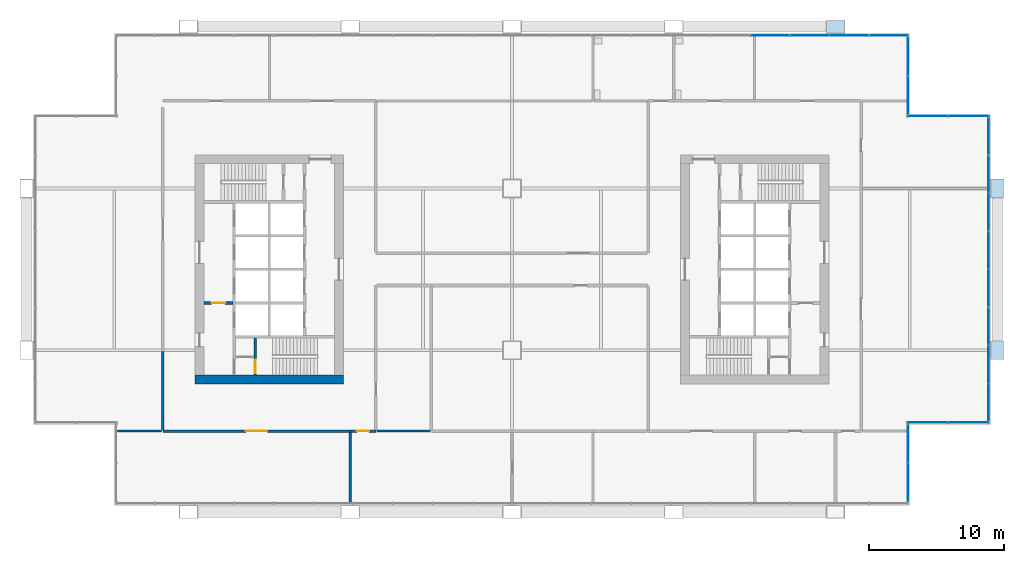
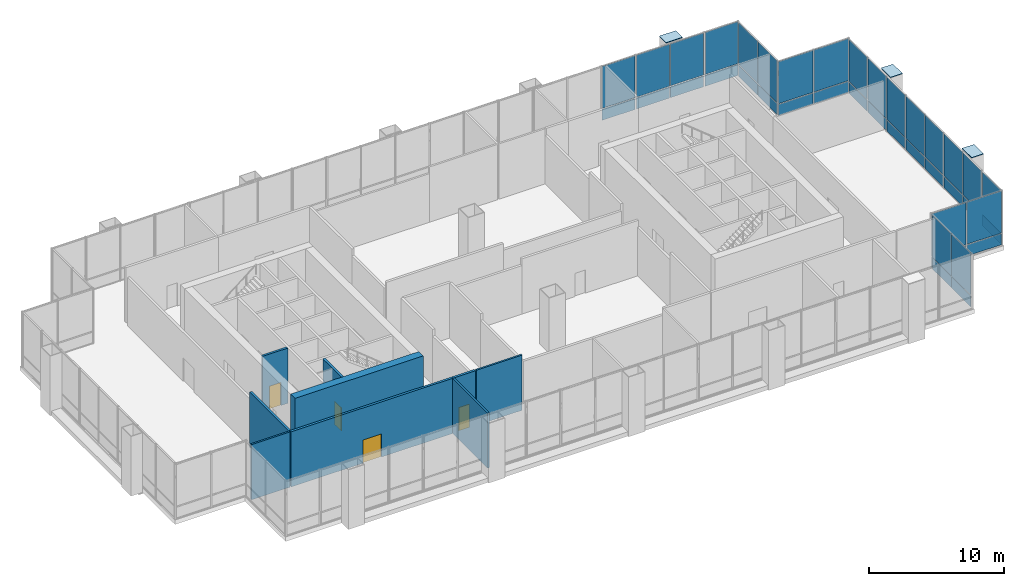
# One storey, part 14 of 20: 43 plates, 9 walls, 4 doors, 4 openings, 12 elements without a shape of their own.
"""IFC4 building model written with IfcOpenShell, lengths in metres."""

from ifc_helpers import new_model, si_unit, direction, frame, frame_2d, origin, origin_2d, place, context, subcontext, project, spatial, rectangle, extrude, material, layer, layer_set, type_object, element, fill, aggregate, save


model = new_model("IFC4")

# Units and contexts
model_context = context("Model", 3, precision=1e-05, world=origin(), true_north=direction((0.0, 1.0)))
body_context = subcontext(model_context, "Body", "Model", "MODEL_VIEW")
ifc_project = project(units=[si_unit("LENGTHUNIT", "METRE"), si_unit("AREAUNIT", "SQUARE_METRE"), si_unit("VOLUMEUNIT", "CUBIC_METRE"), si_unit("PLANEANGLEUNIT", "RADIAN"), si_unit("MASSUNIT", "GRAM", prefix="KILO")], contexts=[model_context])

# Site, building, storey
site_placement = place(None, origin())
site = spatial("IfcSite", under=ifc_project, at=site_placement, CompositionType="ELEMENT")
building_placement = place(site_placement, origin())
building = spatial("IfcBuilding", under=site, at=building_placement, Name="Kitamizu Gate Tower and Museum", CompositionType="ELEMENT")
storey_placement = place(building_placement, frame((0.0, 0.0, 148.35009765625)))
storey = spatial("IfcBuildingStorey", under=building, at=storey_placement, Name="L39", CompositionType="ELEMENT", Elevation=148.35009765625)

# Plates
ifc_material_1 = material(Name="Steel SM490A bronze coated", Category="steel")
ifc_layer_1 = layer(ifc_material_1, 0.054931640625)
ifc_layer_set_1 = layer_set([ifc_layer_1], Name="Steel SM490A bronze coated")
plate_type_1 = type_object("IfcPlateType", Name="Exoskeleton column cap plate XC5 55", PredefinedType="USERDEFINED", material=ifc_layer_set_1)
for number, where, z_axis, x_axis, name in (
    (1, (60.0, 48.0, 5.0), (0.0, 0.0, 1.0), (1.0, 0.0, 0.0), "Exoskeleton column cap plate XC5 6E L39"),
    (2, (72.0, 24.0, 5.0), (0.0, 0.0, 1.0), (0.0, 1.0, 0.0), "Exoskeleton column cap plate XC5 7C L39"),
    (3, (72.0, 36.0, 5.0), (0.0, 0.0, 1.0), (0.0, 1.0, 0.0), "Exoskeleton column cap plate XC5 7D L39"),
):
    element("IfcPlate", number, at=place(storey_placement, frame(where, z_axis=z_axis, x_axis=x_axis)), inside=storey, type_object=plate_type_1, Name=name, ObjectType="COLUMN CAP PLATE", PredefinedType="USERDEFINED", context=body_context, shape_type="SweptSolid", body=[
        extrude(rectangle(XDim=1.39990234375, YDim=1.0, at=origin_2d()), origin(), (0.0, 0.0, 1.0), 0.054931640625),
    ])

# Curtain wall, plates
ifc_material_2 = material(Name="Bronze anodised aluminium frame, tinted triple glazing", Category="aluminium")
curtain_wall_type_1 = type_object("IfcCurtainWallType", Name="CURTAIN WALL TYPE B SKY LOBBY", PredefinedType="NOTDEFINED", material=ifc_material_2)
curtain_wall_1_placement = place(storey_placement, origin())
curtain_wall_1 = element("IfcCurtainWall", 4, at=curtain_wall_1_placement, inside=storey, type_object=curtain_wall_type_1, Name="Curtain wall CW-B east L39", PredefinedType="NOTDEFINED")
ifc_material_3 = material(Name="Tinted insulating glass", Category="glass")
ifc_layer_2 = layer(ifc_material_3, 0.031982421875)
ifc_layer_set_2 = layer_set([ifc_layer_2], Name="Tinted insulating glass")
plate_type_2 = type_object("IfcPlateType", Name="GLASS PANEL 32 TYPE B", PredefinedType="CURTAIN_PANEL", material=ifc_layer_set_2)
plate_1_placement = place(storey_placement, frame((65.364990234375, 14.18994140625, 0.06005859375), z_axis=(0.0, 0.0, 1.0), x_axis=(0.0, 1.0, 0.0)))
plate_1 = element("IfcPlate", 5, at=plate_1_placement, type_object=plate_type_2, Name="CW-B panel 1.1", PredefinedType="CURTAIN_PANEL", context=body_context, shape_type="SweptSolid", body=[
    extrude(rectangle(XDim=2.820068359375, YDim=0.031982421875, at=origin_2d()), origin(), (0.0, 0.0, 1.0), 1.010009765625),
])
plate_2_placement = place(storey_placement, frame((65.364990234375, 14.18994140625, 1.1298828125), z_axis=(0.0, 0.0, 1.0), x_axis=(0.0, 1.0, 0.0)))
plate_2 = element("IfcPlate", 6, at=plate_2_placement, type_object=plate_type_2, Name="CW-B panel 1.2", PredefinedType="CURTAIN_PANEL", context=body_context, shape_type="SweptSolid", body=[
    extrude(rectangle(XDim=2.820068359375, YDim=0.031982421875, at=origin_2d()), origin(), (0.0, 0.0, 1.0), 3.81005859375),
])
plate_3_placement = place(storey_placement, frame((65.364990234375, 17.080078125, 0.06005859375), z_axis=(0.0, 0.0, 1.0), x_axis=(0.0, 1.0, 0.0)))
plate_3 = element("IfcPlate", 7, at=plate_3_placement, type_object=plate_type_2, Name="CW-B panel 2.1", PredefinedType="CURTAIN_PANEL", context=body_context, shape_type="SweptSolid", body=[
    extrude(rectangle(XDim=2.820068359375, YDim=0.031982421875, at=origin_2d()), origin(), (0.0, 0.0, 1.0), 1.010009765625),
])
plate_4_placement = place(storey_placement, frame((65.364990234375, 17.080078125, 1.1298828125), z_axis=(0.0, 0.0, 1.0), x_axis=(0.0, 1.0, 0.0)))
plate_4 = element("IfcPlate", 8, at=plate_4_placement, type_object=plate_type_2, Name="CW-B panel 2.2", PredefinedType="CURTAIN_PANEL", context=body_context, shape_type="SweptSolid", body=[
    extrude(rectangle(XDim=2.820068359375, YDim=0.031982421875, at=origin_2d()), origin(), (0.0, 0.0, 1.0), 3.81005859375),
])
aggregate(curtain_wall_1, [plate_1, plate_2, plate_3, plate_4])

curtain_wall_2_placement = place(storey_placement, origin())
curtain_wall_2 = element("IfcCurtainWall", 9, at=curtain_wall_2_placement, inside=storey, type_object=curtain_wall_type_1, Name="Curtain wall CW-B south L39", PredefinedType="NOTDEFINED")
plate_5_placement = place(storey_placement, frame((66.844970703125, 18.635009765625, 0.06005859375), z_axis=(0.0, 0.0, 1.0), x_axis=(1.0, 0.0, 0.0)))
plate_5 = element("IfcPlate", 10, at=plate_5_placement, type_object=plate_type_2, Name="CW-B panel 1.1", PredefinedType="CURTAIN_PANEL", context=body_context, shape_type="SweptSolid", body=[
    extrude(rectangle(XDim=2.969970703125, YDim=0.031982421875, at=origin_2d()), origin(), (0.0, 0.0, 1.0), 1.010009765625),
])
plate_6_placement = place(storey_placement, frame((66.844970703125, 18.635009765625, 1.1298828125), z_axis=(0.0, 0.0, 1.0), x_axis=(1.0, 0.0, 0.0)))
plate_6 = element("IfcPlate", 11, at=plate_6_placement, type_object=plate_type_2, Name="CW-B panel 1.2", PredefinedType="CURTAIN_PANEL", context=body_context, shape_type="SweptSolid", body=[
    extrude(rectangle(XDim=2.969970703125, YDim=0.031982421875, at=origin_2d()), origin(), (0.0, 0.0, 1.0), 3.81005859375),
])
plate_7_placement = place(storey_placement, frame((69.885009765625, 18.635009765625, 0.06005859375), z_axis=(0.0, 0.0, 1.0), x_axis=(1.0, 0.0, 0.0)))
plate_7 = element("IfcPlate", 12, at=plate_7_placement, type_object=plate_type_2, Name="CW-B panel 2.1", PredefinedType="CURTAIN_PANEL", context=body_context, shape_type="SweptSolid", body=[
    extrude(rectangle(XDim=2.969970703125, YDim=0.031982421875, at=origin_2d()), origin(), (0.0, 0.0, 1.0), 1.010009765625),
])
plate_8_placement = place(storey_placement, frame((69.885009765625, 18.635009765625, 1.1298828125), z_axis=(0.0, 0.0, 1.0), x_axis=(1.0, 0.0, 0.0)))
plate_8 = element("IfcPlate", 13, at=plate_8_placement, type_object=plate_type_2, Name="CW-B panel 2.2", PredefinedType="CURTAIN_PANEL", context=body_context, shape_type="SweptSolid", body=[
    extrude(rectangle(XDim=2.969970703125, YDim=0.031982421875, at=origin_2d()), origin(), (0.0, 0.0, 1.0), 3.81005859375),
])
aggregate(curtain_wall_2, [plate_5, plate_6, plate_7, plate_8])

curtain_wall_3_placement = place(storey_placement, origin())
curtain_wall_3 = element("IfcCurtainWall", 14, at=curtain_wall_3_placement, inside=storey, type_object=curtain_wall_type_1, Name="Curtain wall CW-B east L39 part 1", PredefinedType="NOTDEFINED")
plate_9_placement = place(storey_placement, frame((71.364990234375, 20.121337890625, 0.06005859375), z_axis=(0.0, 0.0, 1.0), x_axis=(0.0, 1.0, 0.0)))
plate_9 = element("IfcPlate", 15, at=plate_9_placement, type_object=plate_type_2, Name="CW-B panel 1.1", PredefinedType="CURTAIN_PANEL", context=body_context, shape_type="SweptSolid", body=[
    extrude(rectangle(XDim=2.6826171875, YDim=0.031982421875, at=origin_2d()), origin(), (0.0, 0.0, 1.0), 1.010009765625),
])
plate_10_placement = place(storey_placement, frame((71.364990234375, 20.121337890625, 1.1298828125), z_axis=(0.0, 0.0, 1.0), x_axis=(0.0, 1.0, 0.0)))
plate_10 = element("IfcPlate", 16, at=plate_10_placement, type_object=plate_type_2, Name="CW-B panel 1.2", PredefinedType="CURTAIN_PANEL", context=body_context, shape_type="SweptSolid", body=[
    extrude(rectangle(XDim=2.6826171875, YDim=0.031982421875, at=origin_2d()), origin(), (0.0, 0.0, 1.0), 3.81005859375),
])
aggregate(curtain_wall_3, [plate_9, plate_10])

curtain_wall_4_placement = place(storey_placement, origin())
curtain_wall_4 = element("IfcCurtainWall", 17, at=curtain_wall_4_placement, inside=storey, type_object=curtain_wall_type_1, Name="Curtain wall CW-B east L39 part 3", PredefinedType="NOTDEFINED")
plate_11_placement = place(storey_placement, frame((71.364990234375, 28.606201171875, 0.06005859375), z_axis=(0.0, 0.0, 1.0), x_axis=(0.0, 1.0, 0.0)))
plate_11 = element("IfcPlate", 18, at=plate_11_placement, type_object=plate_type_2, Name="CW-B panel 1.1", PredefinedType="CURTAIN_PANEL", context=body_context, shape_type="SweptSolid", body=[
    extrude(rectangle(XDim=2.717529296875, YDim=0.031982421875, at=origin_2d()), origin(), (0.0, 0.0, 1.0), 1.010009765625),
])
plate_12_placement = place(storey_placement, frame((71.364990234375, 28.606201171875, 1.1298828125), z_axis=(0.0, 0.0, 1.0), x_axis=(0.0, 1.0, 0.0)))
plate_12 = element("IfcPlate", 19, at=plate_12_placement, type_object=plate_type_2, Name="CW-B panel 1.2", PredefinedType="CURTAIN_PANEL", context=body_context, shape_type="SweptSolid", body=[
    extrude(rectangle(XDim=2.717529296875, YDim=0.031982421875, at=origin_2d()), origin(), (0.0, 0.0, 1.0), 3.81005859375),
])
plate_13_placement = place(storey_placement, frame((71.364990234375, 31.393798828125, 0.06005859375), z_axis=(0.0, 0.0, 1.0), x_axis=(0.0, 1.0, 0.0)))
plate_13 = element("IfcPlate", 20, at=plate_13_placement, type_object=plate_type_2, Name="CW-B panel 2.1", PredefinedType="CURTAIN_PANEL", context=body_context, shape_type="SweptSolid", body=[
    extrude(rectangle(XDim=2.717529296875, YDim=0.031982421875, at=origin_2d()), origin(), (0.0, 0.0, 1.0), 1.010009765625),
])
plate_14_placement = place(storey_placement, frame((71.364990234375, 31.393798828125, 1.1298828125), z_axis=(0.0, 0.0, 1.0), x_axis=(0.0, 1.0, 0.0)))
plate_14 = element("IfcPlate", 21, at=plate_14_placement, type_object=plate_type_2, Name="CW-B panel 2.2", PredefinedType="CURTAIN_PANEL", context=body_context, shape_type="SweptSolid", body=[
    extrude(rectangle(XDim=2.717529296875, YDim=0.031982421875, at=origin_2d()), origin(), (0.0, 0.0, 1.0), 3.81005859375),
])
aggregate(curtain_wall_4, [plate_11, plate_12, plate_13, plate_14])

curtain_wall_5_placement = place(storey_placement, origin())
curtain_wall_5 = element("IfcCurtainWall", 22, at=curtain_wall_5_placement, inside=storey, type_object=curtain_wall_type_1, Name="Curtain wall CW-B east L39 part 5", PredefinedType="NOTDEFINED")
plate_15_placement = place(storey_placement, frame((71.364990234375, 39.878662109375, 0.06005859375), z_axis=(0.0, 0.0, 1.0), x_axis=(0.0, 1.0, 0.0)))
plate_15 = element("IfcPlate", 23, at=plate_15_placement, type_object=plate_type_2, Name="CW-B panel 1.1", PredefinedType="CURTAIN_PANEL", context=body_context, shape_type="SweptSolid", body=[
    extrude(rectangle(XDim=2.6826171875, YDim=0.031982421875, at=origin_2d()), origin(), (0.0, 0.0, 1.0), 1.010009765625),
])
plate_16_placement = place(storey_placement, frame((71.364990234375, 39.878662109375, 1.1298828125), z_axis=(0.0, 0.0, 1.0), x_axis=(0.0, 1.0, 0.0)))
plate_16 = element("IfcPlate", 24, at=plate_16_placement, type_object=plate_type_2, Name="CW-B panel 1.2", PredefinedType="CURTAIN_PANEL", context=body_context, shape_type="SweptSolid", body=[
    extrude(rectangle(XDim=2.6826171875, YDim=0.031982421875, at=origin_2d()), origin(), (0.0, 0.0, 1.0), 3.81005859375),
])
aggregate(curtain_wall_5, [plate_15, plate_16])

curtain_wall_6_placement = place(storey_placement, origin())
curtain_wall_6 = element("IfcCurtainWall", 25, at=curtain_wall_6_placement, inside=storey, type_object=curtain_wall_type_1, Name="Curtain wall CW-B north L39", PredefinedType="NOTDEFINED")
plate_17_placement = place(storey_placement, frame((66.844970703125, 41.364990234375, 0.06005859375), z_axis=(0.0, 0.0, 1.0), x_axis=(1.0, 0.0, 0.0)))
plate_17 = element("IfcPlate", 26, at=plate_17_placement, type_object=plate_type_2, Name="CW-B panel 1.1", PredefinedType="CURTAIN_PANEL", context=body_context, shape_type="SweptSolid", body=[
    extrude(rectangle(XDim=2.969970703125, YDim=0.031982421875, at=origin_2d()), origin(), (0.0, 0.0, 1.0), 1.010009765625),
])
plate_18_placement = place(storey_placement, frame((66.844970703125, 41.364990234375, 1.1298828125), z_axis=(0.0, 0.0, 1.0), x_axis=(1.0, 0.0, 0.0)))
plate_18 = element("IfcPlate", 27, at=plate_18_placement, type_object=plate_type_2, Name="CW-B panel 1.2", PredefinedType="CURTAIN_PANEL", context=body_context, shape_type="SweptSolid", body=[
    extrude(rectangle(XDim=2.969970703125, YDim=0.031982421875, at=origin_2d()), origin(), (0.0, 0.0, 1.0), 3.81005859375),
])
plate_19_placement = place(storey_placement, frame((69.885009765625, 41.364990234375, 0.06005859375), z_axis=(0.0, 0.0, 1.0), x_axis=(1.0, 0.0, 0.0)))
plate_19 = element("IfcPlate", 28, at=plate_19_placement, type_object=plate_type_2, Name="CW-B panel 2.1", PredefinedType="CURTAIN_PANEL", context=body_context, shape_type="SweptSolid", body=[
    extrude(rectangle(XDim=2.969970703125, YDim=0.031982421875, at=origin_2d()), origin(), (0.0, 0.0, 1.0), 1.010009765625),
])
plate_20_placement = place(storey_placement, frame((69.885009765625, 41.364990234375, 1.1298828125), z_axis=(0.0, 0.0, 1.0), x_axis=(1.0, 0.0, 0.0)))
plate_20 = element("IfcPlate", 29, at=plate_20_placement, type_object=plate_type_2, Name="CW-B panel 2.2", PredefinedType="CURTAIN_PANEL", context=body_context, shape_type="SweptSolid", body=[
    extrude(rectangle(XDim=2.969970703125, YDim=0.031982421875, at=origin_2d()), origin(), (0.0, 0.0, 1.0), 3.81005859375),
])
aggregate(curtain_wall_6, [plate_17, plate_18, plate_19, plate_20])

curtain_wall_7_placement = place(storey_placement, origin())
curtain_wall_7 = element("IfcCurtainWall", 30, at=curtain_wall_7_placement, inside=storey, type_object=curtain_wall_type_1, Name="Curtain wall CW-B east L39", PredefinedType="NOTDEFINED")
plate_21_placement = place(storey_placement, frame((65.364990234375, 42.919921875, 0.06005859375), z_axis=(0.0, 0.0, 1.0), x_axis=(0.0, 1.0, 0.0)))
plate_21 = element("IfcPlate", 31, at=plate_21_placement, type_object=plate_type_2, Name="CW-B panel 1.1", PredefinedType="CURTAIN_PANEL", context=body_context, shape_type="SweptSolid", body=[
    extrude(rectangle(XDim=2.820068359375, YDim=0.031982421875, at=origin_2d()), origin(), (0.0, 0.0, 1.0), 1.010009765625),
])
plate_22_placement = place(storey_placement, frame((65.364990234375, 42.919921875, 1.1298828125), z_axis=(0.0, 0.0, 1.0), x_axis=(0.0, 1.0, 0.0)))
plate_22 = element("IfcPlate", 32, at=plate_22_placement, type_object=plate_type_2, Name="CW-B panel 1.2", PredefinedType="CURTAIN_PANEL", context=body_context, shape_type="SweptSolid", body=[
    extrude(rectangle(XDim=2.820068359375, YDim=0.031982421875, at=origin_2d()), origin(), (0.0, 0.0, 1.0), 3.81005859375),
])
plate_23_placement = place(storey_placement, frame((65.364990234375, 45.81005859375, 0.06005859375), z_axis=(0.0, 0.0, 1.0), x_axis=(0.0, 1.0, 0.0)))
plate_23 = element("IfcPlate", 33, at=plate_23_placement, type_object=plate_type_2, Name="CW-B panel 2.1", PredefinedType="CURTAIN_PANEL", context=body_context, shape_type="SweptSolid", body=[
    extrude(rectangle(XDim=2.820068359375, YDim=0.031982421875, at=origin_2d()), origin(), (0.0, 0.0, 1.0), 1.010009765625),
])
plate_24_placement = place(storey_placement, frame((65.364990234375, 45.81005859375, 1.1298828125), z_axis=(0.0, 0.0, 1.0), x_axis=(0.0, 1.0, 0.0)))
plate_24 = element("IfcPlate", 34, at=plate_24_placement, type_object=plate_type_2, Name="CW-B panel 2.2", PredefinedType="CURTAIN_PANEL", context=body_context, shape_type="SweptSolid", body=[
    extrude(rectangle(XDim=2.820068359375, YDim=0.031982421875, at=origin_2d()), origin(), (0.0, 0.0, 1.0), 3.81005859375),
])
aggregate(curtain_wall_7, [plate_21, plate_22, plate_23, plate_24])

curtain_wall_8_placement = place(storey_placement, origin())
curtain_wall_8 = element("IfcCurtainWall", 35, at=curtain_wall_8_placement, inside=storey, type_object=curtain_wall_type_1, Name="Curtain wall CW-B north L39 part 9", PredefinedType="NOTDEFINED")
plate_25_placement = place(storey_placement, frame((55.135986328125, 47.364990234375, 0.06005859375), z_axis=(0.0, 0.0, 1.0), x_axis=(1.0, 0.0, 0.0)))
plate_25 = element("IfcPlate", 36, at=plate_25_placement, type_object=plate_type_2, Name="CW-B panel 1.1", PredefinedType="CURTAIN_PANEL", context=body_context, shape_type="SweptSolid", body=[
    extrude(rectangle(XDim=2.803955078125, YDim=0.031982421875, at=origin_2d()), origin(), (0.0, 0.0, 1.0), 1.010009765625),
])
plate_26_placement = place(storey_placement, frame((55.135986328125, 47.364990234375, 1.1298828125), z_axis=(0.0, 0.0, 1.0), x_axis=(1.0, 0.0, 0.0)))
plate_26 = element("IfcPlate", 37, at=plate_26_placement, type_object=plate_type_2, Name="CW-B panel 1.2", PredefinedType="CURTAIN_PANEL", context=body_context, shape_type="SweptSolid", body=[
    extrude(rectangle(XDim=2.803955078125, YDim=0.031982421875, at=origin_2d()), origin(), (0.0, 0.0, 1.0), 3.81005859375),
])
aggregate(curtain_wall_8, [plate_25, plate_26])

curtain_wall_9_placement = place(storey_placement, origin())
curtain_wall_9 = element("IfcCurtainWall", 38, at=curtain_wall_9_placement, inside=storey, type_object=curtain_wall_type_1, Name="Curtain wall CW-B north L39 part 11", PredefinedType="NOTDEFINED")
plate_27_placement = place(storey_placement, frame((63.968017578125, 47.364990234375, 0.06005859375), z_axis=(0.0, 0.0, 1.0), x_axis=(1.0, 0.0, 0.0)))
plate_27 = element("IfcPlate", 39, at=plate_27_placement, type_object=plate_type_2, Name="CW-B panel 1.1", PredefinedType="CURTAIN_PANEL", context=body_context, shape_type="SweptSolid", body=[
    extrude(rectangle(XDim=2.803955078125, YDim=0.031982421875, at=origin_2d()), origin(), (0.0, 0.0, 1.0), 1.010009765625),
])
plate_28_placement = place(storey_placement, frame((63.968017578125, 47.364990234375, 1.1298828125), z_axis=(0.0, 0.0, 1.0), x_axis=(1.0, 0.0, 0.0)))
plate_28 = element("IfcPlate", 40, at=plate_28_placement, type_object=plate_type_2, Name="CW-B panel 1.2", PredefinedType="CURTAIN_PANEL", context=body_context, shape_type="SweptSolid", body=[
    extrude(rectangle(XDim=2.803955078125, YDim=0.031982421875, at=origin_2d()), origin(), (0.0, 0.0, 1.0), 3.81005859375),
])
aggregate(curtain_wall_9, [plate_27, plate_28])

ifc_material_4 = material(Name="Bronze anodised aluminium frame, insulated panels", Category="aluminium")
curtain_wall_type_2 = type_object("IfcCurtainWallType", Name="CURTAIN WALL TYPE B SKY LOBBY INSULATED", PredefinedType="NOTDEFINED", material=ifc_material_4)
curtain_wall_10_placement = place(storey_placement, origin())
curtain_wall_10 = element("IfcCurtainWall", 41, at=curtain_wall_10_placement, inside=storey, type_object=curtain_wall_type_2, Name="Curtain wall CW-BI east L39 part 2", PredefinedType="NOTDEFINED")
ifc_material_5 = material(Name="Bronze anodised aluminium insulated panel", Category="aluminium")
ifc_layer_3 = layer(ifc_material_5, 0.031982421875)
ifc_layer_set_3 = layer_set([ifc_layer_3], Name="Bronze anodised aluminium insulated panel")
plate_type_3 = type_object("IfcPlateType", Name="INSULATED PANEL 32 TYPE B", PredefinedType="CURTAIN_PANEL", material=ifc_layer_set_3)
plate_29_placement = place(storey_placement, frame((71.364990234375, 22.961181640625, 0.06005859375), z_axis=(0.0, 0.0, 1.0), x_axis=(0.0, 1.0, 0.0)))
plate_29 = element("IfcPlate", 42, at=plate_29_placement, type_object=plate_type_3, Name="CW-BI panel 1.1", PredefinedType="CURTAIN_PANEL", context=body_context, shape_type="SweptSolid", body=[
    extrude(rectangle(XDim=2.717529296875, YDim=0.031982421875, at=origin_2d()), origin(), (0.0, 0.0, 1.0), 1.010009765625),
])
plate_30_placement = place(storey_placement, frame((71.364990234375, 22.961181640625, 1.1298828125), z_axis=(0.0, 0.0, 1.0), x_axis=(0.0, 1.0, 0.0)))
plate_30 = element("IfcPlate", 43, at=plate_30_placement, type_object=plate_type_3, Name="CW-BI panel 1.2", PredefinedType="CURTAIN_PANEL", context=body_context, shape_type="SweptSolid", body=[
    extrude(rectangle(XDim=2.717529296875, YDim=0.031982421875, at=origin_2d()), origin(), (0.0, 0.0, 1.0), 3.81005859375),
])
plate_31_placement = place(storey_placement, frame((71.364990234375, 25.748779296875, 0.06005859375), z_axis=(0.0, 0.0, 1.0), x_axis=(0.0, 1.0, 0.0)))
plate_31 = element("IfcPlate", 44, at=plate_31_placement, type_object=plate_type_3, Name="CW-BI panel 2.1", PredefinedType="CURTAIN_PANEL", context=body_context, shape_type="SweptSolid", body=[
    extrude(rectangle(XDim=2.717529296875, YDim=0.031982421875, at=origin_2d()), origin(), (0.0, 0.0, 1.0), 1.010009765625),
])
plate_32_placement = place(storey_placement, frame((71.364990234375, 25.748779296875, 1.1298828125), z_axis=(0.0, 0.0, 1.0), x_axis=(0.0, 1.0, 0.0)))
plate_32 = element("IfcPlate", 45, at=plate_32_placement, type_object=plate_type_3, Name="CW-BI panel 2.2", PredefinedType="CURTAIN_PANEL", context=body_context, shape_type="SweptSolid", body=[
    extrude(rectangle(XDim=2.717529296875, YDim=0.031982421875, at=origin_2d()), origin(), (0.0, 0.0, 1.0), 3.81005859375),
])
aggregate(curtain_wall_10, [plate_29, plate_30, plate_31, plate_32])

curtain_wall_11_placement = place(storey_placement, origin())
curtain_wall_11 = element("IfcCurtainWall", 46, at=curtain_wall_11_placement, inside=storey, type_object=curtain_wall_type_2, Name="Curtain wall CW-BI east L39 part 4", PredefinedType="NOTDEFINED")
plate_33_placement = place(storey_placement, frame((71.364990234375, 34.251220703125, 0.06005859375), z_axis=(0.0, 0.0, 1.0), x_axis=(0.0, 1.0, 0.0)))
plate_33 = element("IfcPlate", 47, at=plate_33_placement, type_object=plate_type_3, Name="CW-BI panel 1.1", PredefinedType="CURTAIN_PANEL", context=body_context, shape_type="SweptSolid", body=[
    extrude(rectangle(XDim=2.717529296875, YDim=0.031982421875, at=origin_2d()), origin(), (0.0, 0.0, 1.0), 1.010009765625),
])
plate_34_placement = place(storey_placement, frame((71.364990234375, 34.251220703125, 1.1298828125), z_axis=(0.0, 0.0, 1.0), x_axis=(0.0, 1.0, 0.0)))
plate_34 = element("IfcPlate", 48, at=plate_34_placement, type_object=plate_type_3, Name="CW-BI panel 1.2", PredefinedType="CURTAIN_PANEL", context=body_context, shape_type="SweptSolid", body=[
    extrude(rectangle(XDim=2.717529296875, YDim=0.031982421875, at=origin_2d()), origin(), (0.0, 0.0, 1.0), 3.81005859375),
])
plate_35_placement = place(storey_placement, frame((71.364990234375, 37.038818359375, 0.06005859375), z_axis=(0.0, 0.0, 1.0), x_axis=(0.0, 1.0, 0.0)))
plate_35 = element("IfcPlate", 49, at=plate_35_placement, type_object=plate_type_3, Name="CW-BI panel 2.1", PredefinedType="CURTAIN_PANEL", context=body_context, shape_type="SweptSolid", body=[
    extrude(rectangle(XDim=2.717529296875, YDim=0.031982421875, at=origin_2d()), origin(), (0.0, 0.0, 1.0), 1.010009765625),
])
plate_36_placement = place(storey_placement, frame((71.364990234375, 37.038818359375, 1.1298828125), z_axis=(0.0, 0.0, 1.0), x_axis=(0.0, 1.0, 0.0)))
plate_36 = element("IfcPlate", 50, at=plate_36_placement, type_object=plate_type_3, Name="CW-BI panel 2.2", PredefinedType="CURTAIN_PANEL", context=body_context, shape_type="SweptSolid", body=[
    extrude(rectangle(XDim=2.717529296875, YDim=0.031982421875, at=origin_2d()), origin(), (0.0, 0.0, 1.0), 3.81005859375),
])
aggregate(curtain_wall_11, [plate_33, plate_34, plate_35, plate_36])

curtain_wall_12_placement = place(storey_placement, origin())
curtain_wall_12 = element("IfcCurtainWall", 51, at=curtain_wall_12_placement, inside=storey, type_object=curtain_wall_type_2, Name="Curtain wall CW-BI north L39 part 10", PredefinedType="NOTDEFINED")
plate_37_placement = place(storey_placement, frame((58.097412109375, 47.364990234375, 0.06005859375), z_axis=(0.0, 0.0, 1.0), x_axis=(1.0, 0.0, 0.0)))
plate_37 = element("IfcPlate", 52, at=plate_37_placement, type_object=plate_type_3, Name="CW-BI panel 1.1", PredefinedType="CURTAIN_PANEL", context=body_context, shape_type="SweptSolid", body=[
    extrude(rectangle(XDim=2.839111328125, YDim=0.031982421875, at=origin_2d()), origin(), (0.0, 0.0, 1.0), 1.010009765625),
])
plate_38_placement = place(storey_placement, frame((58.097412109375, 47.364990234375, 1.1298828125), z_axis=(0.0, 0.0, 1.0), x_axis=(1.0, 0.0, 0.0)))
plate_38 = element("IfcPlate", 53, at=plate_38_placement, type_object=plate_type_3, Name="CW-BI panel 1.2", PredefinedType="CURTAIN_PANEL", context=body_context, shape_type="SweptSolid", body=[
    extrude(rectangle(XDim=2.839111328125, YDim=0.031982421875, at=origin_2d()), origin(), (0.0, 0.0, 1.0), 3.81005859375),
])
plate_39_placement = place(storey_placement, frame((61.006591796875, 47.364990234375, 0.06005859375), z_axis=(0.0, 0.0, 1.0), x_axis=(1.0, 0.0, 0.0)))
plate_39 = element("IfcPlate", 54, at=plate_39_placement, type_object=plate_type_3, Name="CW-BI panel 2.1", PredefinedType="CURTAIN_PANEL", context=body_context, shape_type="SweptSolid", body=[
    extrude(rectangle(XDim=2.839111328125, YDim=0.031982421875, at=origin_2d()), origin(), (0.0, 0.0, 1.0), 1.010009765625),
])
plate_40_placement = place(storey_placement, frame((61.006591796875, 47.364990234375, 1.1298828125), z_axis=(0.0, 0.0, 1.0), x_axis=(1.0, 0.0, 0.0)))
plate_40 = element("IfcPlate", 55, at=plate_40_placement, type_object=plate_type_3, Name="CW-BI panel 2.2", PredefinedType="CURTAIN_PANEL", context=body_context, shape_type="SweptSolid", body=[
    extrude(rectangle(XDim=2.839111328125, YDim=0.031982421875, at=origin_2d()), origin(), (0.0, 0.0, 1.0), 3.81005859375),
])
aggregate(curtain_wall_12, [plate_37, plate_38, plate_39, plate_40])

# Walls
ifc_material_6 = material(Name="Concrete Fc60", Category="concrete")
ifc_layer_4 = layer(ifc_material_6, 0.64990234375)
ifc_layer_set_4 = layer_set([ifc_layer_4], Name="Concrete Fc60")
wall_type_1 = type_object("IfcWallType", Name="Core wall 650", PredefinedType="SHEAR", material=ifc_layer_set_4)
wall_1_placement = place(storey_placement, frame((12.5, 21.824951171875, 0.0), z_axis=(0.0, 0.0, 1.0), x_axis=(1.0, 0.0, 0.0)))
element("IfcWall", 56, at=wall_1_placement, inside=storey, type_object=wall_type_1, Name="Core wall WS", PredefinedType="SHEAR", context=body_context, shape_type="SweptSolid", body=[
    extrude(rectangle(XDim=11.0, YDim=0.64990234375, at=frame_2d((5.5, 0.0))), origin(), (0.0, 0.0, 1.0), 5.0),
])
ifc_material_7 = material(Name="Gypsum board on galvanised stud")
ifc_layer_5 = layer(ifc_material_7, 0.14990234375)
ifc_layer_set_5 = layer_set([ifc_layer_5], Name="Gypsum board on galvanised stud")
wall_type_2 = type_object("IfcWallType", Name="Partition 150", PredefinedType="PARTITIONING", material=ifc_layer_set_5)
wall_2_placement = place(storey_placement, frame((24.0, 12.719970703125, 0.0), z_axis=(0.0, 0.0, 1.0), x_axis=(0.0, 1.0, 0.0)))
element("IfcWall", 57, at=wall_2_placement, inside=storey, type_object=wall_type_2, Name="Partition L39-028", PredefinedType="PARTITIONING", context=body_context, shape_type="SweptSolid", body=[
    extrude(rectangle(XDim=5.179931640625, YDim=0.14990234375, at=frame_2d((2.58984375, 0.0))), origin(), (0.0, 0.0, 1.0), 5.0),
])
wall_3_placement = place(storey_placement, frame((10.0, 18.0, 0.0), z_axis=(0.0, 0.0, 1.0), x_axis=(-1.0, 0.0, 0.0)))
element("IfcWall", 58, at=wall_3_placement, inside=storey, type_object=wall_type_2, Name="Partition L39-029", PredefinedType="PARTITIONING", context=body_context, shape_type="SweptSolid", body=[
    extrude(rectangle(XDim=3.280029296875, YDim=0.14990234375, at=frame_2d((1.64013671875, 0.0))), origin(), (0.0, 0.0, 1.0), 5.0),
])
wall_4_placement = place(storey_placement, frame((29.89990234375, 18.0, 0.0), z_axis=(0.0, 0.0, 1.0), x_axis=(-1.0, 0.0, 0.0)))
element("IfcWall", 59, at=wall_4_placement, inside=storey, type_object=wall_type_2, Name="Partition L39-031", PredefinedType="PARTITIONING", context=body_context, shape_type="SweptSolid", body=[
    extrude(rectangle(XDim=3.89990234375, YDim=0.14990234375, at=frame_2d((1.949951171875, 0.0))), origin(), (0.0, 0.0, 1.0), 5.0),
])

# Wall, opening, door
ifc_material_8 = material(Name="Gypsum board on galvanised stud")
ifc_layer_6 = layer(ifc_material_8, 0.199951171875)
ifc_layer_set_6 = layer_set([ifc_layer_6], Name="Gypsum board on galvanised stud")
wall_type_3 = type_object("IfcWallType", Name="Partition 200", PredefinedType="PARTITIONING", material=ifc_layer_set_6)
wall_5_placement = place(storey_placement, frame((10.10009765625, 18.0, 0.0), z_axis=(0.0, 0.0, 1.0), x_axis=(1.0, 0.0, 0.0)))
wall_5 = element("IfcWall", 60, at=wall_5_placement, inside=storey, type_object=wall_type_3, Name="Partition L39-001", PredefinedType="PARTITIONING", context=body_context, shape_type="SweptSolid", body=[
    extrude(rectangle(XDim=13.89990234375, YDim=0.199951171875, at=frame_2d((6.949951171875, 0.0))), origin(), (0.0, 0.0, 1.0), 5.0),
])
opening_1_placement = place(wall_5_placement, frame((6.14990234375, 0.0, 0.0)))
opening_1 = element("IfcOpeningElement", 61, at=opening_1_placement, cuts=wall_5, Name="Opening L39-001", PredefinedType="OPENING", context=body_context, shape_type="SweptSolid", body=[
    extrude(rectangle(XDim=1.60009765625, YDim=2.10009765625, at=frame_2d((0.800048828125, 1.050048828125))), frame((0.0, 0.10986328125, 0.0), z_axis=(0.0, -1.0, 0.0), x_axis=(1.0, 0.0, 0.0)), (0.0, 0.0, 1.0), 0.219970703125),
])
ifc_material_9 = material(Name="Timber door set", Category="wood")
door_type_1 = type_object("IfcDoorType", Name="Double door 1600", OperationType="DOUBLE_DOOR_SINGLE_SWING", PredefinedType="DOOR", material=ifc_material_9)
door_1_placement = place(opening_1_placement, origin())
door_1 = element("IfcDoor", 62, at=door_1_placement, inside=storey, type_object=door_type_1, Name="Double door L39-001", OperationType="DOUBLE_DOOR_SINGLE_SWING", OverallHeight=2.10009765625, OverallWidth=1.60009765625, PredefinedType="DOOR", context=body_context, shape_type="SweptSolid", body=[
    extrude(rectangle(XDim=1.60009765625, YDim=2.10009765625, at=frame_2d((0.800048828125, 1.050048828125))), frame((0.0, 0.02490234375, 0.0), z_axis=(0.0, -1.0, 0.0), x_axis=(1.0, 0.0, 0.0)), (0.0, 0.0, 1.0), 0.050048828125),
])
fill(opening_1, door_1)

wall_6_placement = place(storey_placement, frame((24.0, 18.0, 0.0), z_axis=(0.0, 0.0, 1.0), x_axis=(1.0, 0.0, 0.0)))
wall_6 = element("IfcWall", 63, at=wall_6_placement, inside=storey, type_object=wall_type_3, Name="Partition L39-002", PredefinedType="PARTITIONING", context=body_context, shape_type="SweptSolid", body=[
    extrude(rectangle(XDim=1.89990234375, YDim=0.199951171875, at=frame_2d((0.949951171875, 0.0))), origin(), (0.0, 0.0, 1.0), 5.0),
])
opening_2_placement = place(wall_6_placement, frame((0.5, 0.0, 0.0)))
opening_2 = element("IfcOpeningElement", 64, at=opening_2_placement, cuts=wall_6, Name="Opening L39-002", PredefinedType="OPENING", context=body_context, shape_type="SweptSolid", body=[
    extrude(rectangle(XDim=0.89990234375, YDim=2.10009765625, at=frame_2d((0.449951171875, 1.050048828125))), frame((0.0, 0.10986328125, 0.0), z_axis=(0.0, -1.0, 0.0), x_axis=(1.0, 0.0, 0.0)), (0.0, 0.0, 1.0), 0.219970703125),
])
ifc_material_10 = material(Name="Timber door set", Category="wood")
door_type_2 = type_object("IfcDoorType", Name="Room door 900", OperationType="NOTDEFINED", PredefinedType="DOOR", material=ifc_material_10)
door_2_placement = place(opening_2_placement, frame((0.89990234375, 0.0, 0.0), x_axis=(-1.0, 0.0, 0.0)))
door_2 = element("IfcDoor", 65, at=door_2_placement, inside=storey, type_object=door_type_2, Name="Door L39-002", OperationType="SINGLE_SWING_LEFT", OverallHeight=2.10009765625, OverallWidth=0.89990234375, PredefinedType="DOOR", context=body_context, shape_type="SweptSolid", body=[
    extrude(rectangle(XDim=0.89990234375, YDim=2.10009765625, at=frame_2d((0.449951171875, 1.050048828125))), frame((0.0, 0.02490234375, 0.0), z_axis=(0.0, -1.0, 0.0), x_axis=(1.0, 0.0, 0.0)), (0.0, 0.0, 1.0), 0.050048828125),
])
fill(opening_2, door_2)

# Wall
wall_7_placement = place(storey_placement, frame((10.10009765625, 23.89990234375, 0.0), z_axis=(0.0, 0.0, 1.0), x_axis=(0.0, -1.0, 0.0)))
element("IfcWall", 66, at=wall_7_placement, inside=storey, type_object=wall_type_3, Name="Partition L39-012", PredefinedType="PARTITIONING", context=body_context, shape_type="SweptSolid", body=[
    extrude(rectangle(XDim=5.7998046875, YDim=0.199951171875, at=frame_2d((2.89990234375, 0.0))), origin(), (0.0, 0.0, 1.0), 5.0),
])

# Wall, opening, door
ifc_material_11 = material(Name="Concrete Fc42", Category="concrete")
ifc_layer_7 = layer(ifc_material_11, 0.199951171875)
ifc_layer_set_7 = layer_set([ifc_layer_7], Name="Concrete Fc42")
wall_type_4 = type_object("IfcWallType", Name="Shaft wall 200", PredefinedType="SOLIDWALL", material=ifc_layer_set_7)
wall_8_placement = place(storey_placement, frame((13.14990234375, 27.5, 0.0), z_axis=(0.0, 0.0, 1.0), x_axis=(1.0, 0.0, 0.0)))
wall_8 = element("IfcWall", 67, at=wall_8_placement, inside=storey, type_object=wall_type_4, Name="Shaft wall WFFN", PredefinedType="SOLIDWALL", context=body_context, shape_type="SweptSolid", body=[
    extrude(rectangle(XDim=2.150146484375, YDim=0.199951171875, at=frame_2d((1.0751953125, 0.0))), origin(), (0.0, 0.0, 1.0), 5.0),
])
opening_3_placement = place(wall_8_placement, frame((0.574951171875, 0.0, 0.0)))
opening_3 = element("IfcOpeningElement", 68, at=opening_3_placement, cuts=wall_8, Name="Opening L39-022", PredefinedType="OPENING", context=body_context, shape_type="SweptSolid", body=[
    extrude(rectangle(XDim=1.0, YDim=2.10009765625, at=frame_2d((0.5, 1.050048828125))), frame((0.0, 0.10986328125, 0.0), z_axis=(0.0, -1.0, 0.0), x_axis=(1.0, 0.0, 0.0)), (0.0, 0.0, 1.0), 0.219970703125),
])
ifc_material_12 = material(Name="Hollow metal door set")
door_type_3 = type_object("IfcDoorType", Name="Fire door 1000", OperationType="NOTDEFINED", PredefinedType="DOOR", material=ifc_material_12)
door_3_placement = place(opening_3_placement, frame((1.0, 0.0, 0.0), x_axis=(-1.0, 0.0, 0.0)))
door_3 = element("IfcDoor", 69, at=door_3_placement, inside=storey, type_object=door_type_3, Name="Fire-fighting lobby door L39-022", OperationType="SINGLE_SWING_RIGHT", OverallHeight=2.10009765625, OverallWidth=1.0, PredefinedType="DOOR", context=body_context, shape_type="SweptSolid", body=[
    extrude(rectangle(XDim=1.0, YDim=2.10009765625, at=frame_2d((0.5, 1.050048828125))), frame((0.0, 0.02490234375, 0.0), z_axis=(0.0, -1.0, 0.0), x_axis=(1.0, 0.0, 0.0)), (0.0, 0.0, 1.0), 0.050048828125),
])
fill(opening_3, door_3)

wall_9_placement = place(storey_placement, frame((16.949951171875, 22.14990234375, 0.0), z_axis=(0.0, 0.0, 1.0), x_axis=(0.0, 1.0, 0.0)))
wall_9 = element("IfcWall", 70, at=wall_9_placement, inside=storey, type_object=wall_type_4, Name="Shaft wall WSZ", PredefinedType="SOLIDWALL", context=body_context, shape_type="SweptSolid", body=[
    extrude(rectangle(XDim=2.75, YDim=0.199951171875, at=frame_2d((1.375, 0.0))), origin(), (0.0, 0.0, 1.0), 5.0),
])
opening_4_placement = place(wall_9_placement, frame((0.14990234375, 0.0, 0.0)))
opening_4 = element("IfcOpeningElement", 71, at=opening_4_placement, cuts=wall_9, Name="Opening L39-018", PredefinedType="OPENING", context=body_context, shape_type="SweptSolid", body=[
    extrude(rectangle(XDim=1.0, YDim=2.10009765625, at=frame_2d((0.5, 1.050048828125))), frame((0.0, 0.10986328125, 0.0), z_axis=(0.0, -1.0, 0.0), x_axis=(1.0, 0.0, 0.0)), (0.0, 0.0, 1.0), 0.219970703125),
])
door_4_placement = place(opening_4_placement, frame((1.0, 0.0, 0.0), x_axis=(-1.0, 0.0, 0.0)))
door_4 = element("IfcDoor", 72, at=door_4_placement, inside=storey, type_object=door_type_3, Name="Stair door L39-018", OperationType="SINGLE_SWING_LEFT", OverallHeight=2.10009765625, OverallWidth=1.0, PredefinedType="DOOR", context=body_context, shape_type="SweptSolid", body=[
    extrude(rectangle(XDim=1.0, YDim=2.10009765625, at=frame_2d((0.5, 1.050048828125))), frame((0.0, 0.02490234375, 0.0), z_axis=(0.0, -1.0, 0.0), x_axis=(1.0, 0.0, 0.0)), (0.0, 0.0, 1.0), 0.050048828125),
])
fill(opening_4, door_4)

save(model, "model.ifc")
